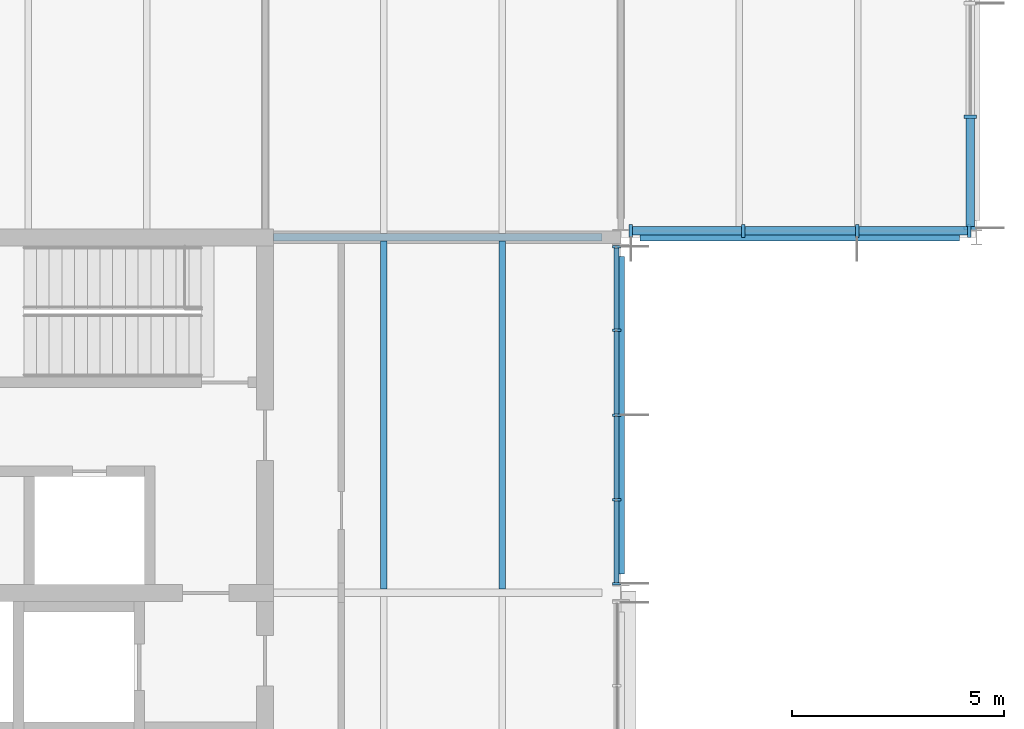
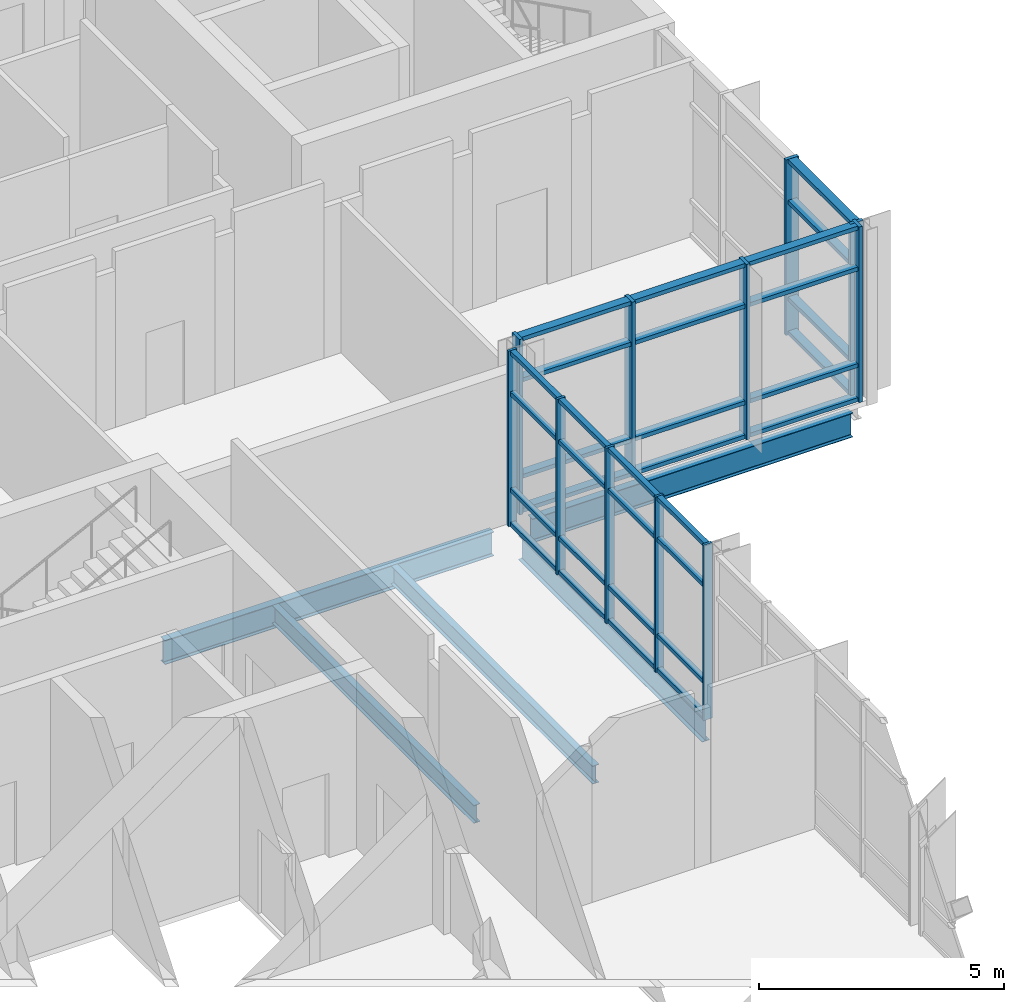
# One storey, part 30 of 89: 43 members, 5 beams, 3 elements without a shape of their own.
"""IFC4 building model written with IfcOpenShell, lengths in metres."""

from ifc_helpers import new_model, si_unit, direction, frame, origin, origin_2d, place, context, subcontext, project, spatial, rectangle, i_section, extrude, material, material_profile, profile_set, type_object, element, aggregate, save


model = new_model("IFC4")

# Units and contexts
model_context = context("Model", 3, precision=1e-05, world=origin(), true_north=direction((0.0, 1.0)))
body_context = subcontext(model_context, "Body", "Model", "MODEL_VIEW")
ifc_project = project(units=[si_unit("LENGTHUNIT", "METRE"), si_unit("AREAUNIT", "SQUARE_METRE"), si_unit("VOLUMEUNIT", "CUBIC_METRE"), si_unit("PLANEANGLEUNIT", "RADIAN"), si_unit("MASSUNIT", "GRAM", prefix="KILO")], contexts=[model_context])

# Site, building, storey
site_placement = place(None, origin())
site = spatial("IfcSite", under=ifc_project, at=site_placement, CompositionType="ELEMENT")
building_placement = place(site_placement, origin())
building = spatial("IfcBuilding", under=site, at=building_placement, Name="Hlaing Beacon Police Headquarters", CompositionType="ELEMENT")
storey_placement = place(building_placement, frame((0.0, 0.0, 9.89990234375)))
storey = spatial("IfcBuildingStorey", under=building, at=storey_placement, Name="L02", CompositionType="ELEMENT", Elevation=9.89990234375)

# Beams
ifc_material_1 = material(Name="Steel ASTM A992 Grade 50", Category="steel")
ifc_material_profile_1 = material_profile(ifc_material_1, i_section(OverallWidth=0.177978515625, OverallDepth=0.599365234375, WebThickness=0.010009765625, FlangeThickness=0.012939453125, FilletRadius=0.012939453125, at=origin_2d()), Name="W24x55")
ifc_profile_set_1 = profile_set([ifc_material_profile_1], Name="Steel ASTM A992 Grade 50")
beam_type_1 = type_object("IfcBeamType", Name="Girder W24x55", PredefinedType="BEAM", material=ifc_profile_set_1)
beam_1_placement = place(storey_placement, frame((117.800048828125, 67.199951171875, -0.4296875), z_axis=(1.0, 0.0, 0.0), x_axis=(0.0, 1.0, 0.0)))
element("IfcBeam", 1, at=beam_1_placement, inside=storey, type_object=beam_type_1, Name="STR-BM-L02-GX-Q9-R9", PredefinedType="BEAM", context=body_context, shape_type="SweptSolid", body=[
    extrude(i_section(OverallWidth=0.177978515625, OverallDepth=0.599365234375, WebThickness=0.010009765625, FlangeThickness=0.012939453125, FilletRadius=0.012939453125, at=origin_2d()), origin(), (0.0, 0.0, 1.0), 7.75),
])
beam_2_placement = place(storey_placement, frame((126.449951171875, 67.199951171875, -0.4296875), z_axis=(1.0, 0.0, 0.0), x_axis=(0.0, 1.0, 0.0)))
element("IfcBeam", 2, at=beam_2_placement, inside=storey, type_object=beam_type_1, Name="STR-BM-L02-GX-R9-S9", PredefinedType="BEAM", context=body_context, shape_type="SweptSolid", body=[
    extrude(i_section(OverallWidth=0.177978515625, OverallDepth=0.599365234375, WebThickness=0.010009765625, FlangeThickness=0.012939453125, FilletRadius=0.012939453125, at=origin_2d()), origin(), (0.0, 0.0, 1.0), 7.550048828125),
])
beam_3_placement = place(storey_placement, frame((126.0, 59.25, -0.4296875), z_axis=(0.0, 1.0, 0.0), x_axis=(-1.0, 0.0, 0.0)))
element("IfcBeam", 3, at=beam_3_placement, inside=storey, type_object=beam_type_1, Name="STR-BM-L02-GY-R8-R9", PredefinedType="BEAM", context=body_context, shape_type="SweptSolid", body=[
    extrude(i_section(OverallWidth=0.177978515625, OverallDepth=0.599365234375, WebThickness=0.010009765625, FlangeThickness=0.012939453125, FilletRadius=0.012939453125, at=origin_2d()), origin(), (0.0, 0.0, 1.0), 7.5),
])

# Curtain wall, members
ifc_material_2 = material(Name="Aluminium frame with solar control glazing", Category="aluminium")
curtain_wall_type_1 = type_object("IfcCurtainWallType", Name="Unitised curtain wall 8.02 x 4.37", PredefinedType="NOTDEFINED", material=ifc_material_2)
curtain_wall_1_placement = place(storey_placement, origin())
curtain_wall_1 = element("IfcCurtainWall", 4, at=curtain_wall_1_placement, inside=storey, type_object=curtain_wall_type_1, Name="ENV-CW-L02-E018", PredefinedType="NOTDEFINED")
ifc_material_3 = material(Name="Aluminium", Category="aluminium")
ifc_material_profile_2 = material_profile(ifc_material_3, rectangle(XDim=0.199951171875, YDim=0.06005859375, at=origin_2d()), Name="Mullion 60x200")
ifc_profile_set_2 = profile_set([ifc_material_profile_2], Name="Aluminium")
member_type_1 = type_object("IfcMemberType", Name="Mullion 60x200", PredefinedType="MULLION", material=ifc_profile_set_2)
member_1_placement = place(storey_placement, frame((125.89990234375, 59.02294921875, 0.0), z_axis=(0.0, 0.0, 1.0), x_axis=(-1.0, 0.0, 0.0)))
member_1 = element("IfcMember", 5, at=member_1_placement, type_object=member_type_1, Name="CW-L02-E018 mullion 1", PredefinedType="MULLION", context=body_context, shape_type="SweptSolid", body=[
    extrude(rectangle(XDim=0.199951171875, YDim=0.06005859375, at=origin_2d()), origin(), (0.0, 0.0, 1.0), 4.3701171875),
])
member_2_placement = place(storey_placement, frame((125.89990234375, 60.997802734375, 0.0), z_axis=(0.0, 0.0, 1.0), x_axis=(-1.0, 0.0, 0.0)))
member_2 = element("IfcMember", 6, at=member_2_placement, type_object=member_type_1, Name="CW-L02-E018 mullion 2", PredefinedType="MULLION", context=body_context, shape_type="SweptSolid", body=[
    extrude(rectangle(XDim=0.199951171875, YDim=0.06005859375, at=origin_2d()), origin(), (0.0, 0.0, 1.0), 4.3701171875),
])
member_3_placement = place(storey_placement, frame((125.89990234375, 63.00244140625, 0.0), z_axis=(0.0, 0.0, 1.0), x_axis=(-1.0, 0.0, 0.0)))
member_3 = element("IfcMember", 7, at=member_3_placement, type_object=member_type_1, Name="CW-L02-E018 mullion 3", PredefinedType="MULLION", context=body_context, shape_type="SweptSolid", body=[
    extrude(rectangle(XDim=0.199951171875, YDim=0.06005859375, at=origin_2d()), origin(), (0.0, 0.0, 1.0), 4.3701171875),
])
member_4_placement = place(storey_placement, frame((125.89990234375, 65.00732421875, 0.0), z_axis=(0.0, 0.0, 1.0), x_axis=(-1.0, 0.0, 0.0)))
member_4 = element("IfcMember", 8, at=member_4_placement, type_object=member_type_1, Name="CW-L02-E018 mullion 4", PredefinedType="MULLION", context=body_context, shape_type="SweptSolid", body=[
    extrude(rectangle(XDim=0.199951171875, YDim=0.06005859375, at=origin_2d()), origin(), (0.0, 0.0, 1.0), 4.3701171875),
])
member_5_placement = place(storey_placement, frame((125.89990234375, 66.98193359375, 0.0), z_axis=(0.0, 0.0, 1.0), x_axis=(-1.0, 0.0, 0.0)))
member_5 = element("IfcMember", 9, at=member_5_placement, type_object=member_type_1, Name="CW-L02-E018 mullion 5", PredefinedType="MULLION", context=body_context, shape_type="SweptSolid", body=[
    extrude(rectangle(XDim=0.199951171875, YDim=0.06005859375, at=origin_2d()), origin(), (0.0, 0.0, 1.0), 4.3701171875),
])

ifc_material_4 = material(Name="Aluminium frame with solar control glazing", Category="aluminium")
curtain_wall_type_2 = type_object("IfcCurtainWallType", Name="Structural glazed gable wall 8.08 x 4.37", PredefinedType="NOTDEFINED", material=ifc_material_4)
curtain_wall_2_placement = place(storey_placement, origin())
curtain_wall_2 = element("IfcCurtainWall", 10, at=curtain_wall_2_placement, inside=storey, type_object=curtain_wall_type_2, Name="ENV-CW-L02-S019", PredefinedType="NOTDEFINED")
ifc_material_5 = material(Name="Aluminium", Category="aluminium")
ifc_material_profile_3 = material_profile(ifc_material_5, rectangle(XDim=0.300048828125, YDim=0.080078125, at=origin_2d()), Name="Mullion 80x300")
ifc_profile_set_3 = profile_set([ifc_material_profile_3], Name="Aluminium")
member_type_2 = type_object("IfcMemberType", Name="Mullion 80x300", PredefinedType="MULLION", material=ifc_profile_set_3)
member_6_placement = place(storey_placement, frame((126.23681640625, 67.35009765625, 0.0), z_axis=(0.0, 0.0, 1.0), x_axis=(0.0, 1.0, 0.0)))
member_6 = element("IfcMember", 11, at=member_6_placement, type_object=member_type_2, Name="CW-L02-S019 mullion 1", PredefinedType="MULLION", context=body_context, shape_type="SweptSolid", body=[
    extrude(rectangle(XDim=0.300048828125, YDim=0.080078125, at=origin_2d()), origin(), (0.0, 0.0, 1.0), 4.3701171875),
])
member_7_placement = place(storey_placement, frame((128.888916015625, 67.35009765625, 0.0), z_axis=(0.0, 0.0, 1.0), x_axis=(0.0, 1.0, 0.0)))
member_7 = element("IfcMember", 12, at=member_7_placement, type_object=member_type_2, Name="CW-L02-S019 mullion 2", PredefinedType="MULLION", context=body_context, shape_type="SweptSolid", body=[
    extrude(rectangle(XDim=0.300048828125, YDim=0.080078125, at=origin_2d()), origin(), (0.0, 0.0, 1.0), 4.3701171875),
])
member_8_placement = place(storey_placement, frame((131.5810546875, 67.35009765625, 0.0), z_axis=(0.0, 0.0, 1.0), x_axis=(0.0, 1.0, 0.0)))
member_8 = element("IfcMember", 13, at=member_8_placement, type_object=member_type_2, Name="CW-L02-S019 mullion 3", PredefinedType="MULLION", context=body_context, shape_type="SweptSolid", body=[
    extrude(rectangle(XDim=0.300048828125, YDim=0.080078125, at=origin_2d()), origin(), (0.0, 0.0, 1.0), 4.3701171875),
])
member_9_placement = place(storey_placement, frame((134.23291015625, 67.35009765625, 0.0), z_axis=(0.0, 0.0, 1.0), x_axis=(0.0, 1.0, 0.0)))
member_9 = element("IfcMember", 14, at=member_9_placement, type_object=member_type_2, Name="CW-L02-S019 mullion 4", PredefinedType="MULLION", context=body_context, shape_type="SweptSolid", body=[
    extrude(rectangle(XDim=0.300048828125, YDim=0.080078125, at=origin_2d()), origin(), (0.0, 0.0, 1.0), 4.3701171875),
])

ifc_material_6 = material(Name="Aluminium frame with solar control glazing", Category="aluminium")
curtain_wall_type_3 = type_object("IfcCurtainWallType", Name="Structural glazed gable wall 8.02 x 4.37", PredefinedType="NOTDEFINED", material=ifc_material_6)
curtain_wall_3_placement = place(storey_placement, origin())
curtain_wall_3 = element("IfcCurtainWall", 15, at=curtain_wall_3_placement, inside=storey, type_object=curtain_wall_type_3, Name="ENV-CW-L02-E020", PredefinedType="NOTDEFINED")
member_10_placement = place(storey_placement, frame((134.25, 67.417724609375, 0.0), z_axis=(0.0, 0.0, 1.0), x_axis=(-1.0, 0.0, 0.0)))
member_10 = element("IfcMember", 16, at=member_10_placement, type_object=member_type_2, Name="CW-L02-E020 mullion 1", PredefinedType="MULLION", context=body_context, shape_type="SweptSolid", body=[
    extrude(rectangle(XDim=0.300048828125, YDim=0.080078125, at=origin_2d()), origin(), (0.0, 0.0, 1.0), 4.3701171875),
])
member_11_placement = place(storey_placement, frame((134.25, 70.0517578125, 0.0), z_axis=(0.0, 0.0, 1.0), x_axis=(-1.0, 0.0, 0.0)))
member_11 = element("IfcMember", 17, at=member_11_placement, type_object=member_type_2, Name="CW-L02-E020 mullion 2", PredefinedType="MULLION", context=body_context, shape_type="SweptSolid", body=[
    extrude(rectangle(XDim=0.300048828125, YDim=0.080078125, at=origin_2d()), origin(), (0.0, 0.0, 1.0), 4.3701171875),
])

# Beams
ifc_material_7 = material(Name="Steel ASTM A992 Grade 50", Category="steel")
ifc_material_profile_4 = material_profile(ifc_material_7, i_section(OverallWidth=0.15234375, OverallDepth=0.449462890625, WebThickness=0.007568359375, FlangeThickness=0.0107421875, FilletRadius=0.01025390625, at=origin_2d()), Name="W18x35")
ifc_profile_set_4 = profile_set([ifc_material_profile_4], Name="Steel ASTM A992 Grade 50")
beam_type_2 = type_object("IfcBeamType", Name="Secondary beam W18x35", PredefinedType="BEAM", material=ifc_profile_set_4)
for number, where, z_axis, x_axis, name in (
    (18, (120.39990234375, 58.888916015625, -0.354736328125), (0.0, 1.0, 0.0), (-1.0, 0.0, 0.0), "STR-BM-L02-SB-Q8-y1"),
    (19, (123.199951171875, 58.888916015625, -0.354736328125), (0.0, 1.0, 0.0), (-1.0, 0.0, 0.0), "STR-BM-L02-SB-Q8-y2"),
):
    element("IfcBeam", number, at=place(storey_placement, frame(where, z_axis=z_axis, x_axis=x_axis)), inside=storey, type_object=beam_type_2, Name=name, PredefinedType="BEAM", context=body_context, shape_type="SweptSolid", body=[
        extrude(i_section(OverallWidth=0.15234375, OverallDepth=0.449462890625, WebThickness=0.007568359375, FlangeThickness=0.0107421875, FilletRadius=0.01025390625, at=origin_2d()), origin(), (0.0, 0.0, 1.0), 8.22216796875),
    ])

# Member
ifc_material_8 = material(Name="Aluminium", Category="aluminium")
ifc_material_profile_5 = material_profile(ifc_material_8, rectangle(XDim=0.1201171875, YDim=0.10009765625, at=origin_2d()), Name="Transom 120x100")
ifc_profile_set_5 = profile_set([ifc_material_profile_5], Name="Aluminium")
member_type_3 = type_object("IfcMemberType", Name="Transom 120x100", PredefinedType="USERDEFINED", material=ifc_profile_set_5)
member_12_placement = place(storey_placement, frame((125.89990234375, 59.052978515625, 0.050048828125), z_axis=(0.0, 1.0, 0.0), x_axis=(-1.0, 0.0, 0.0)))
member_12 = element("IfcMember", 20, at=member_12_placement, type_object=member_type_3, Name="CW-L02-E018 transom 1.1", ObjectType="TRANSOM", PredefinedType="USERDEFINED", context=body_context, shape_type="SweptSolid", body=[
    extrude(rectangle(XDim=0.1201171875, YDim=0.10009765625, at=origin_2d()), origin(), (0.0, 0.0, 1.0), 1.914794921875),
])

member_13_placement = place(storey_placement, frame((125.89990234375, 59.052978515625, 0.900146484375), z_axis=(0.0, 1.0, 0.0), x_axis=(-1.0, 0.0, 0.0)))
member_13 = element("IfcMember", 21, at=member_13_placement, type_object=member_type_3, Name="CW-L02-E018 transom 1.2", ObjectType="TRANSOM", PredefinedType="USERDEFINED", context=body_context, shape_type="SweptSolid", body=[
    extrude(rectangle(XDim=0.1201171875, YDim=0.10009765625, at=origin_2d()), origin(), (0.0, 0.0, 1.0), 1.914794921875),
])

member_14_placement = place(storey_placement, frame((125.89990234375, 59.052978515625, 3.300048828125), z_axis=(0.0, 1.0, 0.0), x_axis=(-1.0, 0.0, 0.0)))
member_14 = element("IfcMember", 22, at=member_14_placement, type_object=member_type_3, Name="CW-L02-E018 transom 1.3", ObjectType="TRANSOM", PredefinedType="USERDEFINED", context=body_context, shape_type="SweptSolid", body=[
    extrude(rectangle(XDim=0.1201171875, YDim=0.10009765625, at=origin_2d()), origin(), (0.0, 0.0, 1.0), 1.914794921875),
])

member_15_placement = place(storey_placement, frame((125.89990234375, 59.052978515625, 4.320068359375), z_axis=(0.0, 1.0, 0.0), x_axis=(-1.0, 0.0, 0.0)))
member_15 = element("IfcMember", 23, at=member_15_placement, type_object=member_type_3, Name="CW-L02-E018 transom 1.4", ObjectType="TRANSOM", PredefinedType="USERDEFINED", context=body_context, shape_type="SweptSolid", body=[
    extrude(rectangle(XDim=0.1201171875, YDim=0.10009765625, at=origin_2d()), origin(), (0.0, 0.0, 1.0), 1.914794921875),
])

member_16_placement = place(storey_placement, frame((125.89990234375, 61.02783203125, 0.050048828125), z_axis=(0.0, 1.0, 0.0), x_axis=(-1.0, 0.0, 0.0)))
member_16 = element("IfcMember", 24, at=member_16_placement, type_object=member_type_3, Name="CW-L02-E018 transom 2.1", ObjectType="TRANSOM", PredefinedType="USERDEFINED", context=body_context, shape_type="SweptSolid", body=[
    extrude(rectangle(XDim=0.1201171875, YDim=0.10009765625, at=origin_2d()), origin(), (0.0, 0.0, 1.0), 1.944580078125),
])

member_17_placement = place(storey_placement, frame((125.89990234375, 61.02783203125, 0.900146484375), z_axis=(0.0, 1.0, 0.0), x_axis=(-1.0, 0.0, 0.0)))
member_17 = element("IfcMember", 25, at=member_17_placement, type_object=member_type_3, Name="CW-L02-E018 transom 2.2", ObjectType="TRANSOM", PredefinedType="USERDEFINED", context=body_context, shape_type="SweptSolid", body=[
    extrude(rectangle(XDim=0.1201171875, YDim=0.10009765625, at=origin_2d()), origin(), (0.0, 0.0, 1.0), 1.944580078125),
])

member_18_placement = place(storey_placement, frame((125.89990234375, 61.02783203125, 3.300048828125), z_axis=(0.0, 1.0, 0.0), x_axis=(-1.0, 0.0, 0.0)))
member_18 = element("IfcMember", 26, at=member_18_placement, type_object=member_type_3, Name="CW-L02-E018 transom 2.3", ObjectType="TRANSOM", PredefinedType="USERDEFINED", context=body_context, shape_type="SweptSolid", body=[
    extrude(rectangle(XDim=0.1201171875, YDim=0.10009765625, at=origin_2d()), origin(), (0.0, 0.0, 1.0), 1.944580078125),
])

member_19_placement = place(storey_placement, frame((125.89990234375, 61.02783203125, 4.320068359375), z_axis=(0.0, 1.0, 0.0), x_axis=(-1.0, 0.0, 0.0)))
member_19 = element("IfcMember", 27, at=member_19_placement, type_object=member_type_3, Name="CW-L02-E018 transom 2.4", ObjectType="TRANSOM", PredefinedType="USERDEFINED", context=body_context, shape_type="SweptSolid", body=[
    extrude(rectangle(XDim=0.1201171875, YDim=0.10009765625, at=origin_2d()), origin(), (0.0, 0.0, 1.0), 1.944580078125),
])

member_20_placement = place(storey_placement, frame((125.89990234375, 63.032470703125, 0.050048828125), z_axis=(0.0, 1.0, 0.0), x_axis=(-1.0, 0.0, 0.0)))
member_20 = element("IfcMember", 28, at=member_20_placement, type_object=member_type_3, Name="CW-L02-E018 transom 3.1", ObjectType="TRANSOM", PredefinedType="USERDEFINED", context=body_context, shape_type="SweptSolid", body=[
    extrude(rectangle(XDim=0.1201171875, YDim=0.10009765625, at=origin_2d()), origin(), (0.0, 0.0, 1.0), 1.94482421875),
])

member_21_placement = place(storey_placement, frame((125.89990234375, 63.032470703125, 0.900146484375), z_axis=(0.0, 1.0, 0.0), x_axis=(-1.0, 0.0, 0.0)))
member_21 = element("IfcMember", 29, at=member_21_placement, type_object=member_type_3, Name="CW-L02-E018 transom 3.2", ObjectType="TRANSOM", PredefinedType="USERDEFINED", context=body_context, shape_type="SweptSolid", body=[
    extrude(rectangle(XDim=0.1201171875, YDim=0.10009765625, at=origin_2d()), origin(), (0.0, 0.0, 1.0), 1.94482421875),
])

member_22_placement = place(storey_placement, frame((125.89990234375, 63.032470703125, 3.300048828125), z_axis=(0.0, 1.0, 0.0), x_axis=(-1.0, 0.0, 0.0)))
member_22 = element("IfcMember", 30, at=member_22_placement, type_object=member_type_3, Name="CW-L02-E018 transom 3.3", ObjectType="TRANSOM", PredefinedType="USERDEFINED", context=body_context, shape_type="SweptSolid", body=[
    extrude(rectangle(XDim=0.1201171875, YDim=0.10009765625, at=origin_2d()), origin(), (0.0, 0.0, 1.0), 1.94482421875),
])

member_23_placement = place(storey_placement, frame((125.89990234375, 63.032470703125, 4.320068359375), z_axis=(0.0, 1.0, 0.0), x_axis=(-1.0, 0.0, 0.0)))
member_23 = element("IfcMember", 31, at=member_23_placement, type_object=member_type_3, Name="CW-L02-E018 transom 3.4", ObjectType="TRANSOM", PredefinedType="USERDEFINED", context=body_context, shape_type="SweptSolid", body=[
    extrude(rectangle(XDim=0.1201171875, YDim=0.10009765625, at=origin_2d()), origin(), (0.0, 0.0, 1.0), 1.94482421875),
])

member_24_placement = place(storey_placement, frame((125.89990234375, 65.037353515625, 0.050048828125), z_axis=(0.0, 1.0, 0.0), x_axis=(-1.0, 0.0, 0.0)))
member_24 = element("IfcMember", 32, at=member_24_placement, type_object=member_type_3, Name="CW-L02-E018 transom 4.1", ObjectType="TRANSOM", PredefinedType="USERDEFINED", context=body_context, shape_type="SweptSolid", body=[
    extrude(rectangle(XDim=0.1201171875, YDim=0.10009765625, at=origin_2d()), origin(), (0.0, 0.0, 1.0), 1.91455078125),
])

member_25_placement = place(storey_placement, frame((125.89990234375, 65.037353515625, 0.900146484375), z_axis=(0.0, 1.0, 0.0), x_axis=(-1.0, 0.0, 0.0)))
member_25 = element("IfcMember", 33, at=member_25_placement, type_object=member_type_3, Name="CW-L02-E018 transom 4.2", ObjectType="TRANSOM", PredefinedType="USERDEFINED", context=body_context, shape_type="SweptSolid", body=[
    extrude(rectangle(XDim=0.1201171875, YDim=0.10009765625, at=origin_2d()), origin(), (0.0, 0.0, 1.0), 1.91455078125),
])

member_26_placement = place(storey_placement, frame((125.89990234375, 65.037353515625, 3.300048828125), z_axis=(0.0, 1.0, 0.0), x_axis=(-1.0, 0.0, 0.0)))
member_26 = element("IfcMember", 34, at=member_26_placement, type_object=member_type_3, Name="CW-L02-E018 transom 4.3", ObjectType="TRANSOM", PredefinedType="USERDEFINED", context=body_context, shape_type="SweptSolid", body=[
    extrude(rectangle(XDim=0.1201171875, YDim=0.10009765625, at=origin_2d()), origin(), (0.0, 0.0, 1.0), 1.91455078125),
])

member_27_placement = place(storey_placement, frame((125.89990234375, 65.037353515625, 4.320068359375), z_axis=(0.0, 1.0, 0.0), x_axis=(-1.0, 0.0, 0.0)))
member_27 = element("IfcMember", 35, at=member_27_placement, type_object=member_type_3, Name="CW-L02-E018 transom 4.4", ObjectType="TRANSOM", PredefinedType="USERDEFINED", context=body_context, shape_type="SweptSolid", body=[
    extrude(rectangle(XDim=0.1201171875, YDim=0.10009765625, at=origin_2d()), origin(), (0.0, 0.0, 1.0), 1.91455078125),
])

aggregate(curtain_wall_1, [member_1, member_2, member_3, member_4, member_5, member_12, member_13, member_14, member_15, member_16, member_17, member_18, member_19, member_20, member_21, member_22, member_23, member_24, member_25, member_26, member_27])

ifc_material_9 = material(Name="Aluminium", Category="aluminium")
ifc_material_profile_6 = material_profile(ifc_material_9, rectangle(XDim=0.199951171875, YDim=0.10009765625, at=origin_2d()), Name="Transom 200x100")
ifc_profile_set_6 = profile_set([ifc_material_profile_6], Name="Aluminium")
member_type_4 = type_object("IfcMemberType", Name="Transom 200x100", PredefinedType="USERDEFINED", material=ifc_profile_set_6)
member_28_placement = place(storey_placement, frame((126.27685546875, 67.35009765625, 0.050048828125), z_axis=(1.0, 0.0, 0.0), x_axis=(0.0, 1.0, 0.0)))
member_28 = element("IfcMember", 36, at=member_28_placement, type_object=member_type_4, Name="CW-L02-S019 transom 1.1", ObjectType="TRANSOM", PredefinedType="USERDEFINED", context=body_context, shape_type="SweptSolid", body=[
    extrude(rectangle(XDim=0.199951171875, YDim=0.10009765625, at=origin_2d()), origin(), (0.0, 0.0, 1.0), 2.572021484375),
])

member_29_placement = place(storey_placement, frame((126.27685546875, 67.35009765625, 0.900146484375), z_axis=(1.0, 0.0, 0.0), x_axis=(0.0, 1.0, 0.0)))
member_29 = element("IfcMember", 37, at=member_29_placement, type_object=member_type_4, Name="CW-L02-S019 transom 1.2", ObjectType="TRANSOM", PredefinedType="USERDEFINED", context=body_context, shape_type="SweptSolid", body=[
    extrude(rectangle(XDim=0.199951171875, YDim=0.10009765625, at=origin_2d()), origin(), (0.0, 0.0, 1.0), 2.572021484375),
])

member_30_placement = place(storey_placement, frame((126.27685546875, 67.35009765625, 3.300048828125), z_axis=(1.0, 0.0, 0.0), x_axis=(0.0, 1.0, 0.0)))
member_30 = element("IfcMember", 38, at=member_30_placement, type_object=member_type_4, Name="CW-L02-S019 transom 1.3", ObjectType="TRANSOM", PredefinedType="USERDEFINED", context=body_context, shape_type="SweptSolid", body=[
    extrude(rectangle(XDim=0.199951171875, YDim=0.10009765625, at=origin_2d()), origin(), (0.0, 0.0, 1.0), 2.572021484375),
])

member_31_placement = place(storey_placement, frame((126.27685546875, 67.35009765625, 4.320068359375), z_axis=(1.0, 0.0, 0.0), x_axis=(0.0, 1.0, 0.0)))
member_31 = element("IfcMember", 39, at=member_31_placement, type_object=member_type_4, Name="CW-L02-S019 transom 1.4", ObjectType="TRANSOM", PredefinedType="USERDEFINED", context=body_context, shape_type="SweptSolid", body=[
    extrude(rectangle(XDim=0.199951171875, YDim=0.10009765625, at=origin_2d()), origin(), (0.0, 0.0, 1.0), 2.572021484375),
])

member_32_placement = place(storey_placement, frame((128.928955078125, 67.35009765625, 0.050048828125), z_axis=(1.0, 0.0, 0.0), x_axis=(0.0, 1.0, 0.0)))
member_32 = element("IfcMember", 40, at=member_32_placement, type_object=member_type_4, Name="CW-L02-S019 transom 2.1", ObjectType="TRANSOM", PredefinedType="USERDEFINED", context=body_context, shape_type="SweptSolid", body=[
    extrude(rectangle(XDim=0.199951171875, YDim=0.10009765625, at=origin_2d()), origin(), (0.0, 0.0, 1.0), 2.612060546875),
])

member_33_placement = place(storey_placement, frame((128.928955078125, 67.35009765625, 0.900146484375), z_axis=(1.0, 0.0, 0.0), x_axis=(0.0, 1.0, 0.0)))
member_33 = element("IfcMember", 41, at=member_33_placement, type_object=member_type_4, Name="CW-L02-S019 transom 2.2", ObjectType="TRANSOM", PredefinedType="USERDEFINED", context=body_context, shape_type="SweptSolid", body=[
    extrude(rectangle(XDim=0.199951171875, YDim=0.10009765625, at=origin_2d()), origin(), (0.0, 0.0, 1.0), 2.612060546875),
])

member_34_placement = place(storey_placement, frame((128.928955078125, 67.35009765625, 3.300048828125), z_axis=(1.0, 0.0, 0.0), x_axis=(0.0, 1.0, 0.0)))
member_34 = element("IfcMember", 42, at=member_34_placement, type_object=member_type_4, Name="CW-L02-S019 transom 2.3", ObjectType="TRANSOM", PredefinedType="USERDEFINED", context=body_context, shape_type="SweptSolid", body=[
    extrude(rectangle(XDim=0.199951171875, YDim=0.10009765625, at=origin_2d()), origin(), (0.0, 0.0, 1.0), 2.612060546875),
])

member_35_placement = place(storey_placement, frame((128.928955078125, 67.35009765625, 4.320068359375), z_axis=(1.0, 0.0, 0.0), x_axis=(0.0, 1.0, 0.0)))
member_35 = element("IfcMember", 43, at=member_35_placement, type_object=member_type_4, Name="CW-L02-S019 transom 2.4", ObjectType="TRANSOM", PredefinedType="USERDEFINED", context=body_context, shape_type="SweptSolid", body=[
    extrude(rectangle(XDim=0.199951171875, YDim=0.10009765625, at=origin_2d()), origin(), (0.0, 0.0, 1.0), 2.612060546875),
])

member_36_placement = place(storey_placement, frame((131.620849609375, 67.35009765625, 0.050048828125), z_axis=(1.0, 0.0, 0.0), x_axis=(0.0, 1.0, 0.0)))
member_36 = element("IfcMember", 44, at=member_36_placement, type_object=member_type_4, Name="CW-L02-S019 transom 3.1", ObjectType="TRANSOM", PredefinedType="USERDEFINED", context=body_context, shape_type="SweptSolid", body=[
    extrude(rectangle(XDim=0.199951171875, YDim=0.10009765625, at=origin_2d()), origin(), (0.0, 0.0, 1.0), 2.572265625),
])

member_37_placement = place(storey_placement, frame((131.620849609375, 67.35009765625, 0.900146484375), z_axis=(1.0, 0.0, 0.0), x_axis=(0.0, 1.0, 0.0)))
member_37 = element("IfcMember", 45, at=member_37_placement, type_object=member_type_4, Name="CW-L02-S019 transom 3.2", ObjectType="TRANSOM", PredefinedType="USERDEFINED", context=body_context, shape_type="SweptSolid", body=[
    extrude(rectangle(XDim=0.199951171875, YDim=0.10009765625, at=origin_2d()), origin(), (0.0, 0.0, 1.0), 2.572265625),
])

member_38_placement = place(storey_placement, frame((131.620849609375, 67.35009765625, 3.300048828125), z_axis=(1.0, 0.0, 0.0), x_axis=(0.0, 1.0, 0.0)))
member_38 = element("IfcMember", 46, at=member_38_placement, type_object=member_type_4, Name="CW-L02-S019 transom 3.3", ObjectType="TRANSOM", PredefinedType="USERDEFINED", context=body_context, shape_type="SweptSolid", body=[
    extrude(rectangle(XDim=0.199951171875, YDim=0.10009765625, at=origin_2d()), origin(), (0.0, 0.0, 1.0), 2.572265625),
])

member_39_placement = place(storey_placement, frame((131.620849609375, 67.35009765625, 4.320068359375), z_axis=(1.0, 0.0, 0.0), x_axis=(0.0, 1.0, 0.0)))
member_39 = element("IfcMember", 47, at=member_39_placement, type_object=member_type_4, Name="CW-L02-S019 transom 3.4", ObjectType="TRANSOM", PredefinedType="USERDEFINED", context=body_context, shape_type="SweptSolid", body=[
    extrude(rectangle(XDim=0.199951171875, YDim=0.10009765625, at=origin_2d()), origin(), (0.0, 0.0, 1.0), 2.572265625),
])

aggregate(curtain_wall_2, [member_6, member_7, member_8, member_9, member_28, member_29, member_30, member_31, member_32, member_33, member_34, member_35, member_36, member_37, member_38, member_39])

member_40_placement = place(storey_placement, frame((134.25, 67.457763671875, 0.050048828125), z_axis=(0.0, 1.0, 0.0), x_axis=(-1.0, 0.0, 0.0)))
member_40 = element("IfcMember", 48, at=member_40_placement, type_object=member_type_4, Name="CW-L02-E020 transom 1.1", ObjectType="TRANSOM", PredefinedType="USERDEFINED", context=body_context, shape_type="SweptSolid", body=[
    extrude(rectangle(XDim=0.199951171875, YDim=0.10009765625, at=origin_2d()), origin(), (0.0, 0.0, 1.0), 2.55419921875),
])

member_41_placement = place(storey_placement, frame((134.25, 67.457763671875, 0.900146484375), z_axis=(0.0, 1.0, 0.0), x_axis=(-1.0, 0.0, 0.0)))
member_41 = element("IfcMember", 49, at=member_41_placement, type_object=member_type_4, Name="CW-L02-E020 transom 1.2", ObjectType="TRANSOM", PredefinedType="USERDEFINED", context=body_context, shape_type="SweptSolid", body=[
    extrude(rectangle(XDim=0.199951171875, YDim=0.10009765625, at=origin_2d()), origin(), (0.0, 0.0, 1.0), 2.55419921875),
])

member_42_placement = place(storey_placement, frame((134.25, 67.457763671875, 3.300048828125), z_axis=(0.0, 1.0, 0.0), x_axis=(-1.0, 0.0, 0.0)))
member_42 = element("IfcMember", 50, at=member_42_placement, type_object=member_type_4, Name="CW-L02-E020 transom 1.3", ObjectType="TRANSOM", PredefinedType="USERDEFINED", context=body_context, shape_type="SweptSolid", body=[
    extrude(rectangle(XDim=0.199951171875, YDim=0.10009765625, at=origin_2d()), origin(), (0.0, 0.0, 1.0), 2.55419921875),
])

member_43_placement = place(storey_placement, frame((134.25, 67.457763671875, 4.320068359375), z_axis=(0.0, 1.0, 0.0), x_axis=(-1.0, 0.0, 0.0)))
member_43 = element("IfcMember", 51, at=member_43_placement, type_object=member_type_4, Name="CW-L02-E020 transom 1.4", ObjectType="TRANSOM", PredefinedType="USERDEFINED", context=body_context, shape_type="SweptSolid", body=[
    extrude(rectangle(XDim=0.199951171875, YDim=0.10009765625, at=origin_2d()), origin(), (0.0, 0.0, 1.0), 2.55419921875),
])

aggregate(curtain_wall_3, [member_10, member_11, member_40, member_41, member_42, member_43])

save(model, "model.ifc")
